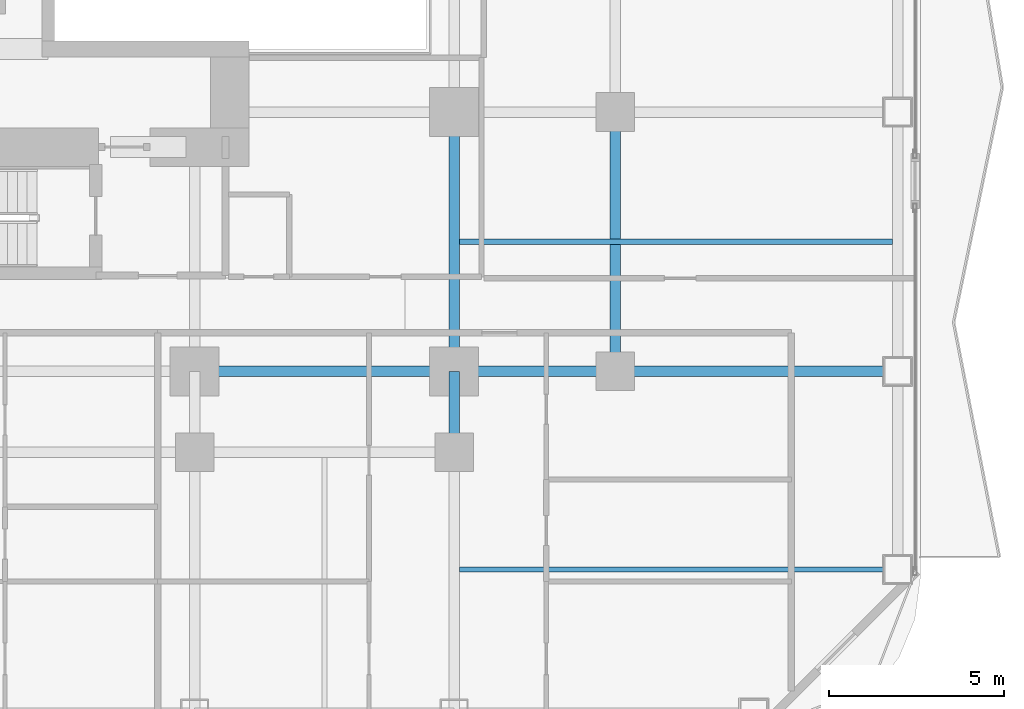
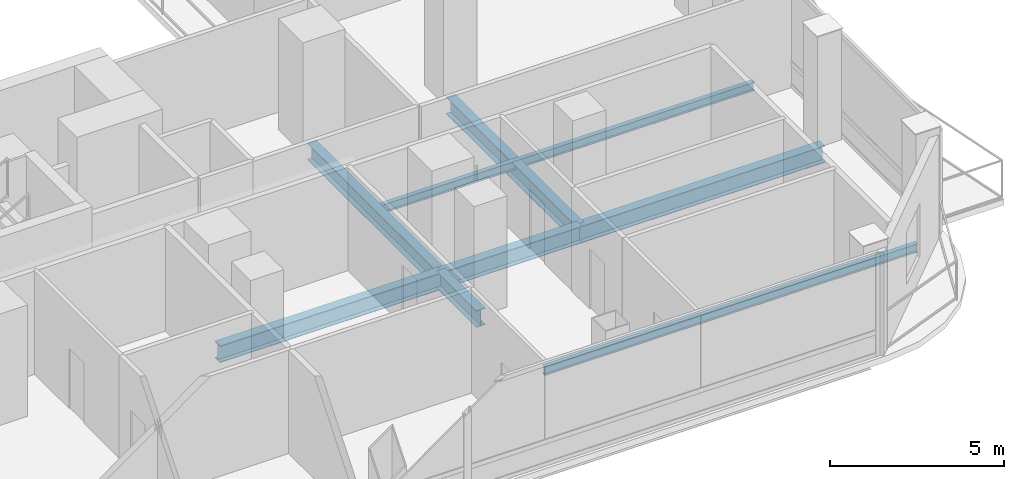
# One storey, part 9 of 27: 8 beams.
"""IFC4 building model written with IfcOpenShell, lengths in metres."""

from ifc_helpers import new_model, si_unit, direction, frame, origin, origin_2d, place, context, subcontext, project, spatial, i_section, extrude, material, material_profile, profile_set, type_object, element, save


model = new_model("IFC4")

# Units and contexts
model_context = context("Model", 3, precision=1e-05, world=origin(), true_north=direction((0.0, 1.0)))
body_context = subcontext(model_context, "Body", "Model", "MODEL_VIEW")
ifc_project = project(units=[si_unit("LENGTHUNIT", "METRE"), si_unit("AREAUNIT", "SQUARE_METRE"), si_unit("VOLUMEUNIT", "CUBIC_METRE"), si_unit("PLANEANGLEUNIT", "RADIAN"), si_unit("MASSUNIT", "GRAM", prefix="KILO")], contexts=[model_context])

# Site, building, storey
site_placement = place(None, origin())
site = spatial("IfcSite", under=ifc_project, at=site_placement, CompositionType="ELEMENT")
building_placement = place(site_placement, origin())
building = spatial("IfcBuilding", under=site, at=building_placement, Name="Khorvyn Point Tower", CompositionType="ELEMENT")
storey_placement = place(building_placement, frame((0.0, 0.0, 50.10009765625)))
storey = spatial("IfcBuildingStorey", under=building, at=storey_placement, Name="L13", CompositionType="ELEMENT", Elevation=50.10009765625)

# Beams
ifc_material = material(Name="Steel S355", Category="steel")
ifc_material_profile_1 = material_profile(ifc_material, i_section(OverallWidth=0.300048828125, OverallDepth=0.587890625, WebThickness=0.011962890625, FlangeThickness=0.02001953125, at=origin_2d()))
ifc_profile_set_1 = profile_set([ifc_material_profile_1], Name="Steel S355 H588x300x12x20")
beam_type_1 = type_object("IfcBeamType", Name="Steel S355 Beam H588x300x12x20", PredefinedType="BEAM", material=ifc_profile_set_1)
beam_1_placement = place(storey_placement, frame((7.39990234375, -14.800048828125, -0.51416015625), z_axis=(1.0, 0.0, 0.0), x_axis=(0.0, 1.0, 0.0)))
element("IfcBeam", 1, at=beam_1_placement, inside=storey, type_object=beam_type_1, Name="Beam", PredefinedType="BEAM", context=body_context, shape_type="SweptSolid", body=[
    extrude(i_section(OverallWidth=0.300048828125, OverallDepth=0.587890625, WebThickness=0.011962890625, FlangeThickness=0.02001953125, at=origin_2d()), origin(), (0.0, 0.0, 1.0), 7.400146484375),
])
beam_2_placement = place(storey_placement, frame((14.800048828125, -14.800048828125, -0.51416015625), z_axis=(1.0, 0.0, 0.0), x_axis=(0.0, 1.0, 0.0)))
element("IfcBeam", 2, at=beam_2_placement, inside=storey, type_object=beam_type_1, Name="Beam", PredefinedType="BEAM", context=body_context, shape_type="SweptSolid", body=[
    extrude(i_section(OverallWidth=0.300048828125, OverallDepth=0.587890625, WebThickness=0.011962890625, FlangeThickness=0.02001953125, at=origin_2d()), origin(), (0.0, 0.0, 1.0), 4.599853515625),
])
beam_3_placement = place(storey_placement, frame((19.39990234375, -14.800048828125, -0.51416015625), z_axis=(1.0, 0.0, 0.0), x_axis=(0.0, 1.0, 0.0)))
element("IfcBeam", 3, at=beam_3_placement, inside=storey, type_object=beam_type_1, Name="Beam", PredefinedType="BEAM", context=body_context, shape_type="SweptSolid", body=[
    extrude(i_section(OverallWidth=0.300048828125, OverallDepth=0.587890625, WebThickness=0.011962890625, FlangeThickness=0.02001953125, at=origin_2d()), origin(), (0.0, 0.0, 1.0), 8.050048828125),
])
beam_4_placement = place(storey_placement, frame((14.800048828125, -17.10009765625, -0.51416015625), z_axis=(0.0, 1.0, 0.0), x_axis=(-1.0, 0.0, 0.0)))
element("IfcBeam", 4, at=beam_4_placement, inside=storey, type_object=beam_type_1, Name="Beam", PredefinedType="BEAM", context=body_context, shape_type="SweptSolid", body=[
    extrude(i_section(OverallWidth=0.300048828125, OverallDepth=0.587890625, WebThickness=0.011962890625, FlangeThickness=0.02001953125, at=origin_2d()), origin(), (0.0, 0.0, 1.0), 2.300048828125),
])
for number, where, z_axis, x_axis, name in (
    (5, (14.800048828125, -14.800048828125, -0.51416015625), (0.0, 1.0, 0.0), (-1.0, 0.0, 0.0), "Beam"),
    (6, (19.39990234375, -14.800048828125, -0.51416015625), (0.0, 1.0, 0.0), (-1.0, 0.0, 0.0), "Beam"),
):
    element("IfcBeam", number, at=place(storey_placement, frame(where, z_axis=z_axis, x_axis=x_axis)), inside=storey, type_object=beam_type_1, Name=name, PredefinedType="BEAM", context=body_context, shape_type="SweptSolid", body=[
        extrude(i_section(OverallWidth=0.300048828125, OverallDepth=0.587890625, WebThickness=0.011962890625, FlangeThickness=0.02001953125, at=origin_2d()), origin(), (0.0, 0.0, 1.0), 7.400146484375),
    ])
ifc_material_profile_2 = material_profile(ifc_material, i_section(OverallWidth=0.14990234375, OverallDepth=0.300048828125, WebThickness=0.006591796875, FlangeThickness=0.009033203125, at=origin_2d()))
ifc_profile_set_2 = profile_set([ifc_material_profile_2], Name="Steel S355 H300x150x6.5x9")
beam_type_2 = type_object("IfcBeamType", Name="Steel S355 Joist H300x150x6.5x9", PredefinedType="JOIST", material=ifc_profile_set_2)
for number, where, z_axis, x_axis, name in (
    (7, (14.949951171875, -11.10009765625, -0.3701171875), (1.0, 0.0, 0.0), (0.0, 1.0, 0.0), "Beam"),
    (8, (14.949951171875, -20.449951171875, -0.3701171875), (1.0, 0.0, 0.0), (0.0, 1.0, 0.0), "Beam"),
):
    element("IfcBeam", number, at=place(storey_placement, frame(where, z_axis=z_axis, x_axis=x_axis)), inside=storey, type_object=beam_type_2, Name=name, PredefinedType="JOIST", context=body_context, shape_type="SweptSolid", body=[
        extrude(i_section(OverallWidth=0.14990234375, OverallDepth=0.300048828125, WebThickness=0.006591796875, FlangeThickness=0.009033203125, at=origin_2d()), origin(), (0.0, 0.0, 1.0), 12.35009765625),
    ])

save(model, "model.ifc")
